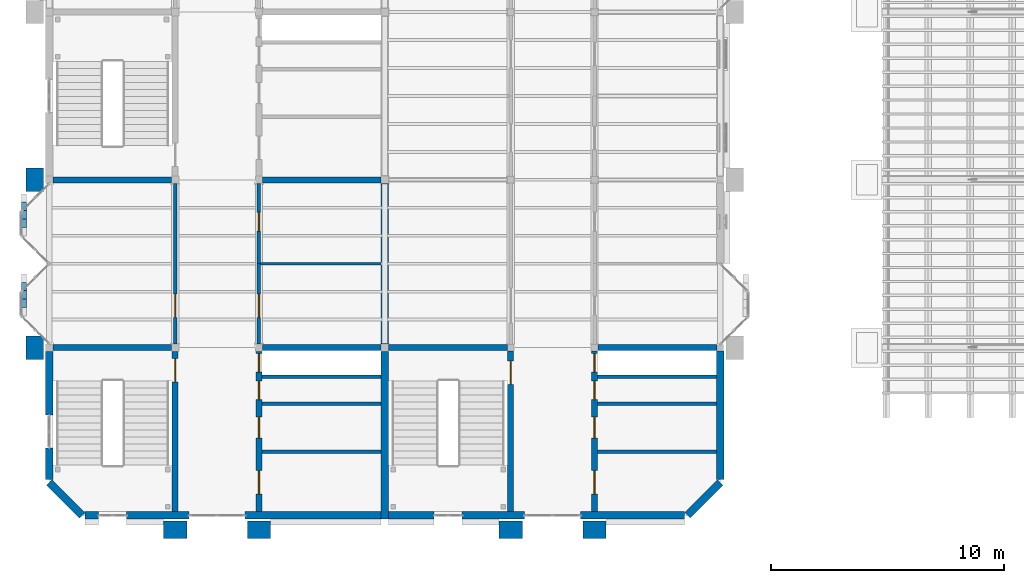
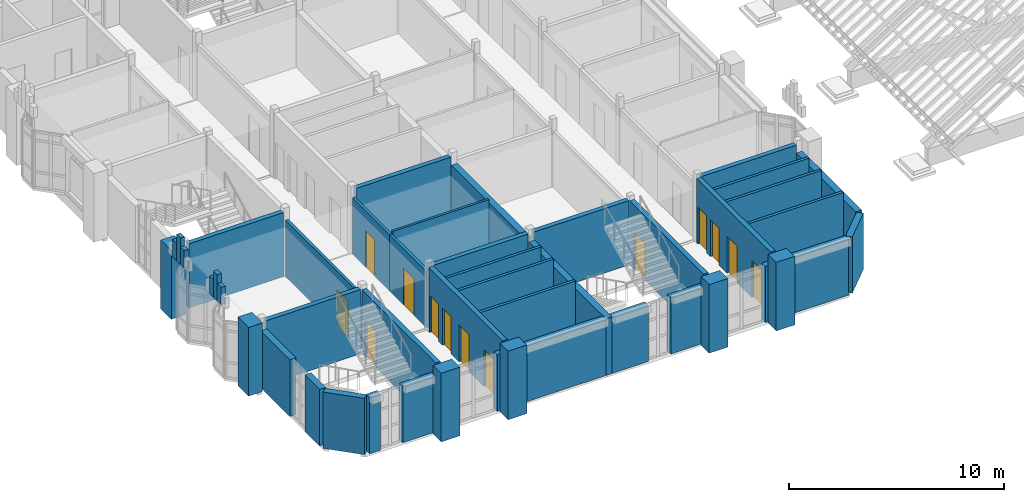
# One storey, part 41 of 71: 45 walls, 13 doors, 13 openings.
"""IFC4 building model written with IfcOpenShell, lengths in metres."""

from ifc_helpers import new_model, si_unit, direction, frame, frame_2d, origin, place, context, subcontext, project, spatial, rectangle, extrude, material, layer, layer_set, type_object, element, fill, save


model = new_model("IFC4")

# Units and contexts
model_context = context("Model", 3, precision=1e-05, world=origin(), true_north=direction((0.0, 1.0)))
body_context = subcontext(model_context, "Body", "Model", "MODEL_VIEW")
ifc_project = project(units=[si_unit("LENGTHUNIT", "METRE"), si_unit("AREAUNIT", "SQUARE_METRE"), si_unit("VOLUMEUNIT", "CUBIC_METRE"), si_unit("PLANEANGLEUNIT", "RADIAN"), si_unit("MASSUNIT", "GRAM", prefix="KILO")], contexts=[model_context])

# Site, building, storey
site_placement = place(None, origin())
site = spatial("IfcSite", under=ifc_project, at=site_placement, CompositionType="ELEMENT")
building_placement = place(site_placement, origin())
building = spatial("IfcBuilding", under=site, at=building_placement, Name="Mazhai Court Health Centre", CompositionType="ELEMENT")
storey_placement = place(building_placement, frame((0.0, 0.0, 10.199951171875)))
storey = spatial("IfcBuildingStorey", under=building, at=storey_placement, Name="L02", CompositionType="ELEMENT", Elevation=10.199951171875)

# Walls
ifc_material_1 = material(Name="Clay brick masonry", Category="masonry")
ifc_layer_1 = layer(ifc_material_1, 0.22998046875)
ifc_layer_set_1 = layer_set([ifc_layer_1], Name="BRICK PARAPET 230")
wall_type_1 = type_object("IfcWallType", Name="BRICK PARAPET 230", PredefinedType="SOLIDWALL", material=ifc_layer_set_1)
wall_1_placement = place(storey_placement, frame((5.114990234375, 15.1201171875, 3.900146484375), z_axis=(0.0, 0.0, 1.0), x_axis=(0.0, 1.0, 0.0)))
element("IfcWall", 1, at=wall_1_placement, inside=storey, type_object=wall_type_1, Name="PR-V2-L02-A10-1", PredefinedType="SOLIDWALL", context=body_context, shape_type="SweptSolid", body=[
    extrude(rectangle(XDim=0.35986328125, YDim=0.22998046875, at=frame_2d((0.179931640625, 0.0))), origin(), (0.0, 0.0, 1.0), 1.0),
])
wall_2_placement = place(storey_placement, frame((5.114990234375, 15.47998046875, 3.900146484375), z_axis=(0.0, 0.0, 1.0), x_axis=(0.0, 1.0, 0.0)))
element("IfcWall", 2, at=wall_2_placement, inside=storey, type_object=wall_type_1, Name="PR-V2-L02-A10-2", PredefinedType="SOLIDWALL", context=body_context, shape_type="SweptSolid", body=[
    extrude(rectangle(XDim=0.360107421875, YDim=0.22998046875, at=frame_2d((0.18017578125, 0.0))), origin(), (0.0, 0.0, 1.0), 1.5),
])
for number, where, z_axis, x_axis, name in (
    (3, (5.114990234375, 15.840087890625, 3.900146484375), (0.0, 0.0, 1.0), (0.0, 1.0, 0.0), "PR-V2-L02-A10-3"),
    (4, (5.114990234375, 18.56005859375, 3.900146484375), (0.0, 0.0, 1.0), (0.0, 1.0, 0.0), "PR-V2-L02-A11-1"),
):
    element("IfcWall", number, at=place(storey_placement, frame(where, z_axis=z_axis, x_axis=x_axis)), inside=storey, type_object=wall_type_1, Name=name, PredefinedType="SOLIDWALL", context=body_context, shape_type="SweptSolid", body=[
        extrude(rectangle(XDim=0.35986328125, YDim=0.22998046875, at=frame_2d((0.179931640625, 0.0))), origin(), (0.0, 0.0, 1.0), 1.0),
    ])
wall_3_placement = place(storey_placement, frame((5.114990234375, 18.919921875, 3.900146484375), z_axis=(0.0, 0.0, 1.0), x_axis=(0.0, 1.0, 0.0)))
element("IfcWall", 5, at=wall_3_placement, inside=storey, type_object=wall_type_1, Name="PR-V2-L02-A11-2", PredefinedType="SOLIDWALL", context=body_context, shape_type="SweptSolid", body=[
    extrude(rectangle(XDim=0.360107421875, YDim=0.22998046875, at=frame_2d((0.18017578125, 0.0))), origin(), (0.0, 0.0, 1.0), 1.5),
])
wall_4_placement = place(storey_placement, frame((5.114990234375, 19.280029296875, 3.900146484375), z_axis=(0.0, 0.0, 1.0), x_axis=(0.0, 1.0, 0.0)))
element("IfcWall", 6, at=wall_4_placement, inside=storey, type_object=wall_type_1, Name="PR-V2-L02-A11-3", PredefinedType="SOLIDWALL", context=body_context, shape_type="SweptSolid", body=[
    extrude(rectangle(XDim=0.35986328125, YDim=0.22998046875, at=frame_2d((0.179931640625, 0.0))), origin(), (0.0, 0.0, 1.0), 1.0),
])
ifc_material_2 = material(Name="Clay brick masonry", Category="masonry")
ifc_layer_2 = layer(ifc_material_2, 0.75)
ifc_layer_set_2 = layer_set([ifc_layer_2], Name="BRICK PIER 750")
wall_type_2 = type_object("IfcWallType", Name="BRICK PIER 750", PredefinedType="SOLIDWALL", material=ifc_layer_set_2)
for number, where, z_axis, x_axis, name in (
    (7, (5.574951171875, 12.89990234375, 0.0), (0.0, 0.0, 1.0), (0.0, 1.0, 0.0), "EP-V2-L02-A1"),
    (8, (5.574951171875, 20.10009765625, 0.0), (0.0, 0.0, 1.0), (0.0, 1.0, 0.0), "EP-V2-L02-A2"),
    (9, (12.10009765625, 5.574951171875, 0.0), (0.0, 0.0, 1.0), (-1.0, 0.0, 0.0), "EP-V2-L02-S54"),
    (10, (15.699951171875, 5.574951171875, 0.0), (0.0, 0.0, 1.0), (-1.0, 0.0, 0.0), "EP-V2-L02-S90"),
    (11, (26.5, 5.574951171875, 0.0), (0.0, 0.0, 1.0), (-1.0, 0.0, 0.0), "EP-V5-L02-S54"),
    (12, (30.10009765625, 5.574951171875, 0.0), (0.0, 0.0, 1.0), (-1.0, 0.0, 0.0), "EP-V5-L02-S90"),
):
    element("IfcWall", number, at=place(storey_placement, frame(where, z_axis=z_axis, x_axis=x_axis)), inside=storey, type_object=wall_type_2, Name=name, PredefinedType="SOLIDWALL", context=body_context, shape_type="SweptSolid", body=[
        extrude(rectangle(XDim=1.0, YDim=0.75, at=frame_2d((0.5, 0.0))), origin(), (0.0, 0.0, 1.0), 3.900146484375),
    ])
ifc_material_3 = material(Name="Clay brick masonry", Category="masonry")
ifc_layer_3 = layer(ifc_material_3, 0.330078125)
ifc_layer_set_3 = layer_set([ifc_layer_3], Name="BRICK WALL 330 EXTERNAL")
wall_type_3 = type_object("IfcWallType", Name="BRICK WALL 330 EXTERNAL", PredefinedType="SOLIDWALL", material=ifc_layer_set_3)
wall_5_placement = place(storey_placement, frame((6.199951171875, 7.73095703125, 0.0), z_axis=(0.0, 0.0, 1.0), x_axis=(0.0, 1.0, 0.0)))
element("IfcWall", 13, at=wall_5_placement, inside=storey, type_object=wall_type_3, Name="EW-V2-L02-A0a", PredefinedType="SOLIDWALL", context=body_context, shape_type="SweptSolid", body=[
    extrude(rectangle(XDim=1.369140625, YDim=0.330078125, at=frame_2d((0.6845703125, 0.0))), origin(), (0.0, 0.0, 1.0), 3.219970703125),
])
wall_6_placement = place(storey_placement, frame((6.199951171875, 10.5, 0.0), z_axis=(0.0, 0.0, 1.0), x_axis=(0.0, 1.0, 0.0)))
element("IfcWall", 14, at=wall_6_placement, inside=storey, type_object=wall_type_3, Name="EW-V2-L02-A0b", PredefinedType="SOLIDWALL", context=body_context, shape_type="SweptSolid", body=[
    extrude(rectangle(XDim=2.739990234375, YDim=0.330078125, at=frame_2d((1.3701171875, 0.0))), origin(), (0.0, 0.0, 1.0), 3.219970703125),
])
wall_7_placement = place(storey_placement, frame((8.320068359375, 6.199951171875, 0.0), z_axis=(0.0, 0.0, 1.0), x_axis=(-1.0, 0.0, 0.0)))
element("IfcWall", 15, at=wall_7_placement, inside=storey, type_object=wall_type_3, Name="EW-V2-L02-Sp0", PredefinedType="SOLIDWALL", context=body_context, shape_type="SweptSolid", body=[
    extrude(rectangle(XDim=0.589111328125, YDim=0.330078125, at=frame_2d((0.29443359375, 0.0))), origin(), (0.0, 0.0, 1.0), 3.199951171875),
])
wall_8_placement = place(storey_placement, frame((12.199951171875, 6.199951171875, 0.0), z_axis=(0.0, 0.0, 1.0), x_axis=(-1.0, 0.0, 0.0)))
element("IfcWall", 16, at=wall_8_placement, inside=storey, type_object=wall_type_3, Name="EW-V2-L02-Sp1", PredefinedType="SOLIDWALL", context=body_context, shape_type="SweptSolid", body=[
    extrude(rectangle(XDim=2.679931640625, YDim=0.330078125, at=frame_2d((1.33984375, 0.0))), origin(), (0.0, 0.0, 1.0), 3.199951171875),
])
wall_9_placement = place(storey_placement, frame((20.43505859375, 6.199951171875, 0.0), z_axis=(0.0, 0.0, 1.0), x_axis=(-1.0, 0.0, 0.0)))
element("IfcWall", 17, at=wall_9_placement, inside=storey, type_object=wall_type_3, Name="EW-V2-L02-Sp2", PredefinedType="SOLIDWALL", context=body_context, shape_type="SweptSolid", body=[
    extrude(rectangle(XDim=5.8349609375, YDim=0.330078125, at=frame_2d((2.91748046875, 0.0))), origin(), (0.0, 0.0, 1.0), 3.199951171875),
])
wall_10_placement = place(storey_placement, frame((6.199951171875, 7.614013671875, 0.0), z_axis=(0.0, 0.0, 1.0), x_axis=(0.707106781187, -0.707106781187, 0.0)))
element("IfcWall", 18, at=wall_10_placement, inside=storey, type_object=wall_type_3, Name="EW-V2-L02-CHA", PredefinedType="SOLIDWALL", context=body_context, shape_type="SweptSolid", body=[
    extrude(rectangle(XDim=1.999755859375, YDim=0.330078125, at=frame_2d((1.0, 0.0))), origin(), (0.0, 0.0, 1.0), 3.199951171875),
])
wall_11_placement = place(storey_placement, frame((35.0, 13.260009765625, 0.0), z_axis=(0.0, 0.0, 1.0), x_axis=(0.0, -1.0, 0.0)))
element("IfcWall", 19, at=wall_11_placement, inside=storey, type_object=wall_type_3, Name="EW-V5-L02-B0", PredefinedType="SOLIDWALL", context=body_context, shape_type="SweptSolid", body=[
    extrude(rectangle(XDim=5.529052734375, YDim=0.330078125, at=frame_2d((2.7646484375, 0.0))), origin(), (0.0, 0.0, 1.0), 3.219970703125),
])
wall_12_placement = place(storey_placement, frame((22.719970703125, 6.199951171875, 0.0), z_axis=(0.0, 0.0, 1.0), x_axis=(-1.0, 0.0, 0.0)))
element("IfcWall", 20, at=wall_12_placement, inside=storey, type_object=wall_type_3, Name="EW-V5-L02-Sp0", PredefinedType="SOLIDWALL", context=body_context, shape_type="SweptSolid", body=[
    extrude(rectangle(XDim=1.955078125, YDim=0.330078125, at=frame_2d((0.9775390625, 0.0))), origin(), (0.0, 0.0, 1.0), 3.199951171875),
])
wall_13_placement = place(storey_placement, frame((26.60009765625, 6.199951171875, 0.0), z_axis=(0.0, 0.0, 1.0), x_axis=(-1.0, 0.0, 0.0)))
element("IfcWall", 21, at=wall_13_placement, inside=storey, type_object=wall_type_3, Name="EW-V5-L02-Sp1", PredefinedType="SOLIDWALL", context=body_context, shape_type="SweptSolid", body=[
    extrude(rectangle(XDim=2.68017578125, YDim=0.330078125, at=frame_2d((1.340087890625, 0.0))), origin(), (0.0, 0.0, 1.0), 3.199951171875),
])
wall_14_placement = place(storey_placement, frame((33.468994140625, 6.199951171875, 0.0), z_axis=(0.0, 0.0, 1.0), x_axis=(-1.0, 0.0, 0.0)))
element("IfcWall", 22, at=wall_14_placement, inside=storey, type_object=wall_type_3, Name="EW-V5-L02-Sp2", PredefinedType="SOLIDWALL", context=body_context, shape_type="SweptSolid", body=[
    extrude(rectangle(XDim=4.468994140625, YDim=0.330078125, at=frame_2d((2.234375, 0.0))), origin(), (0.0, 0.0, 1.0), 3.199951171875),
])
wall_15_placement = place(storey_placement, frame((35.0, 7.614013671875, 0.0), z_axis=(0.0, 0.0, 1.0), x_axis=(-0.707106781187, -0.707106781187, 0.0)))
element("IfcWall", 23, at=wall_15_placement, inside=storey, type_object=wall_type_3, Name="EW-V5-L02-CHB", PredefinedType="SOLIDWALL", context=body_context, shape_type="SweptSolid", body=[
    extrude(rectangle(XDim=1.999755859375, YDim=0.330078125, at=frame_2d((1.0, 0.0))), origin(), (0.0, 0.0, 1.0), 3.199951171875),
])
ifc_material_4 = material(Name="Clay brick masonry", Category="masonry")
ifc_layer_4 = layer(ifc_material_4, 0.330078125)
ifc_layer_set_4 = layer_set([ifc_layer_4], Name="BRICK WALL 330 INTERNAL")
wall_type_4 = type_object("IfcWallType", Name="BRICK WALL 330 INTERNAL", PredefinedType="SOLIDWALL", material=ifc_layer_set_4)
wall_16_placement = place(storey_placement, frame((20.60009765625, 13.239990234375, 0.0), z_axis=(0.0, 0.0, 1.0), x_axis=(0.0, -1.0, 0.0)))
element("IfcWall", 24, at=wall_16_placement, inside=storey, type_object=wall_type_4, Name="EW-V2-L02-B0", PredefinedType="SOLIDWALL", context=body_context, shape_type="SweptSolid", body=[
    extrude(rectangle(XDim=7.205078125, YDim=0.330078125, at=frame_2d((3.6025390625, 0.0))), origin(), (0.0, 0.0, 1.0), 3.219970703125),
])
wall_17_placement = place(storey_placement, frame((20.60009765625, 20.43994140625, 0.0), z_axis=(0.0, 0.0, 1.0), x_axis=(0.0, -1.0, 0.0)))
element("IfcWall", 25, at=wall_17_placement, inside=storey, type_object=wall_type_4, Name="EW-V2-L02-B1", PredefinedType="SOLIDWALL", context=body_context, shape_type="SweptSolid", body=[
    extrude(rectangle(XDim=6.8798828125, YDim=0.330078125, at=frame_2d((3.43994140625, 0.0))), origin(), (0.0, 0.0, 1.0), 3.219970703125),
])
ifc_material_5 = material(Name="Gypsum plasterboard partition")
ifc_layer_5 = layer(ifc_material_5, 0.125)
ifc_layer_set_5 = layer_set([ifc_layer_5], Name="PARTITION 125 STUD EI30")
wall_type_5 = type_object("IfcWallType", Name="PARTITION 125 STUD EI30", PredefinedType="PARTITIONING", material=ifc_layer_set_5)
wall_18_placement = place(storey_placement, frame((20.43505859375, 17.0, 0.0), z_axis=(0.0, 0.0, 1.0), x_axis=(-1.0, 0.0, 0.0)))
element("IfcWall", 26, at=wall_18_placement, inside=storey, type_object=wall_type_5, Name="wall-V2-L02-B0-cross-1a", PredefinedType="PARTITIONING", context=body_context, shape_type="SweptSolid", body=[
    extrude(rectangle(XDim=5.16015625, YDim=0.125, at=frame_2d((2.580078125, 0.0))), origin(), (0.0, 0.0, 1.0), 3.380126953125),
])

# Wall, opening, door
ifc_material_6 = material(Name="Gypsum plasterboard partition")
ifc_layer_6 = layer(ifc_material_6, 0.14990234375)
ifc_layer_set_6 = layer_set([ifc_layer_6], Name="PARTITION 150 CORRIDOR EI60")
wall_type_6 = type_object("IfcWallType", Name="PARTITION 150 CORRIDOR EI60", PredefinedType="PARTITIONING", material=ifc_layer_set_6)
wall_19_placement = place(storey_placement, frame((11.60009765625, 13.56005859375, 0.0), z_axis=(0.0, 0.0, 1.0), x_axis=(0.0, 1.0, 0.0)))
wall_19 = element("IfcWall", 27, at=wall_19_placement, inside=storey, type_object=wall_type_6, Name="wall-V2-L02-A0-corr-0a", PredefinedType="PARTITIONING", context=body_context, shape_type="SweptSolid", body=[
    extrude(rectangle(XDim=6.8798828125, YDim=0.14990234375, at=frame_2d((3.43994140625, 0.0))), origin(), (0.0, 0.0, 1.0), 3.219970703125),
])
opening_1_placement = place(wall_19_placement, frame((1.139892578125, 0.0, 0.0)))
opening_1 = element("IfcOpeningElement", 28, at=opening_1_placement, cuts=wall_19, Name="Opening D-L02-002", PredefinedType="OPENING", context=body_context, shape_type="SweptSolid", body=[
    extrude(rectangle(XDim=1.0, YDim=2.10009765625, at=frame_2d((0.5, 1.050048828125))), frame((0.0, 0.0849609375, 0.0), z_axis=(0.0, -1.0, 0.0), x_axis=(1.0, 0.0, 0.0)), (0.0, 0.0, 1.0), 0.169921875),
])
ifc_material_7 = material(Name="Hardwood door leaf", Category="wood")
door_type_1 = type_object("IfcDoorType", Name="DOOR 1000x2100 FD30S SINGLE", OperationType="NOTDEFINED", PredefinedType="DOOR", material=ifc_material_7)
door_1_placement = place(opening_1_placement, origin())
door_1 = element("IfcDoor", 29, at=door_1_placement, inside=storey, type_object=door_type_1, Name="door-V2-L02-A0-first-phase-recovery", OperationType="SINGLE_SWING_LEFT", OverallHeight=2.10009765625, OverallWidth=1.0, PredefinedType="DOOR", context=body_context, shape_type="SweptSolid", body=[
    extrude(rectangle(XDim=1.0, YDim=2.10009765625, at=frame_2d((0.5, 1.050048828125))), frame((0.0, 0.02490234375, 0.0), z_axis=(0.0, -1.0, 0.0), x_axis=(1.0, 0.0, 0.0)), (0.0, 0.0, 1.0), 0.050048828125),
])
fill(opening_1, door_1)

wall_20_placement = place(storey_placement, frame((15.199951171875, 17.0, 0.0), z_axis=(0.0, 0.0, 1.0), x_axis=(0.0, -1.0, 0.0)))
wall_20 = element("IfcWall", 30, at=wall_20_placement, inside=storey, type_object=wall_type_6, Name="wall-V2-L02-B0-corr-0a", PredefinedType="PARTITIONING", context=body_context, shape_type="SweptSolid", body=[
    extrude(rectangle(XDim=3.43994140625, YDim=0.14990234375, at=frame_2d((1.719970703125, 0.0))), origin(), (0.0, 0.0, 1.0), 3.219970703125),
])
opening_2_placement = place(wall_20_placement, frame((1.300048828125, 0.0, 0.0)))
opening_2 = element("IfcOpeningElement", 31, at=opening_2_placement, cuts=wall_20, Name="Opening D-L02-011", PredefinedType="OPENING", context=body_context, shape_type="SweptSolid", body=[
    extrude(rectangle(XDim=1.0, YDim=2.10009765625, at=frame_2d((0.5, 1.050048828125))), frame((0.0, 0.0849609375, 0.0), z_axis=(0.0, -1.0, 0.0), x_axis=(1.0, 0.0, 0.0)), (0.0, 0.0, 1.0), 0.169921875),
])
door_2_placement = place(opening_2_placement, origin())
door_2 = element("IfcDoor", 32, at=door_2_placement, inside=storey, type_object=door_type_1, Name="door-V2-L02-B0-nurse-base", OperationType="SINGLE_SWING_RIGHT", OverallHeight=2.10009765625, OverallWidth=1.0, PredefinedType="DOOR", context=body_context, shape_type="SweptSolid", body=[
    extrude(rectangle(XDim=1.0, YDim=2.10009765625, at=frame_2d((0.5, 1.050048828125))), frame((0.0, 0.02490234375, 0.0), z_axis=(0.0, -1.0, 0.0), x_axis=(1.0, 0.0, 0.0)), (0.0, 0.0, 1.0), 0.050048828125),
])
fill(opening_2, door_2)

wall_21_placement = place(storey_placement, frame((15.199951171875, 20.43994140625, 0.0), z_axis=(0.0, 0.0, 1.0), x_axis=(0.0, -1.0, 0.0)))
wall_21 = element("IfcWall", 33, at=wall_21_placement, inside=storey, type_object=wall_type_6, Name="wall-V2-L02-B0-corr-1a", PredefinedType="PARTITIONING", context=body_context, shape_type="SweptSolid", body=[
    extrude(rectangle(XDim=3.43994140625, YDim=0.14990234375, at=frame_2d((1.719970703125, 0.0))), origin(), (0.0, 0.0, 1.0), 3.219970703125),
])
opening_3_placement = place(wall_21_placement, frame((1.239990234375, 0.0, 0.0)))
opening_3 = element("IfcOpeningElement", 34, at=opening_3_placement, cuts=wall_21, Name="Opening D-L02-012", PredefinedType="OPENING", context=body_context, shape_type="SweptSolid", body=[
    extrude(rectangle(XDim=0.800048828125, YDim=2.10009765625, at=frame_2d((0.39990234375, 1.050048828125))), frame((0.0, 0.0849609375, 0.0), z_axis=(0.0, -1.0, 0.0), x_axis=(1.0, 0.0, 0.0)), (0.0, 0.0, 1.0), 0.169921875),
])
ifc_material_8 = material(Name="Hardwood door leaf", Category="wood")
door_type_2 = type_object("IfcDoorType", Name="DOOR 800x2100 FD30S SINGLE", OperationType="NOTDEFINED", PredefinedType="DOOR", material=ifc_material_8)
door_3_placement = place(opening_3_placement, origin())
door_3 = element("IfcDoor", 35, at=door_3_placement, inside=storey, type_object=door_type_2, Name="door-V2-L02-B0-dirty-utility", OperationType="SINGLE_SWING_LEFT", OverallHeight=2.10009765625, OverallWidth=0.800048828125, PredefinedType="DOOR", context=body_context, shape_type="SweptSolid", body=[
    extrude(rectangle(XDim=0.800048828125, YDim=2.10009765625, at=frame_2d((0.39990234375, 1.050048828125))), frame((0.0, 0.02490234375, 0.0), z_axis=(0.0, -1.0, 0.0), x_axis=(1.0, 0.0, 0.0)), (0.0, 0.0, 1.0), 0.050048828125),
])
fill(opening_3, door_3)

ifc_material_9 = material(Name="Concrete M40", Category="concrete")
ifc_layer_7 = layer(ifc_material_9, 0.25)
ifc_layer_set_7 = layer_set([ifc_layer_7], Name="RC CORE WALL 250 M40")
wall_type_7 = type_object("IfcWallType", Name="RC CORE WALL 250 M40", PredefinedType="SHEAR", material=ifc_layer_set_7)
wall_22_placement = place(storey_placement, frame((11.60009765625, 6.364990234375, 0.0), z_axis=(0.0, 0.0, 1.0), x_axis=(0.0, 1.0, 0.0)))
wall_22 = element("IfcWall", 36, at=wall_22_placement, inside=storey, type_object=wall_type_7, Name="core-C1-w-stair-corr-L02", PredefinedType="SHEAR", context=body_context, shape_type="SweptSolid", body=[
    extrude(rectangle(XDim=6.875, YDim=0.25, at=frame_2d((3.4375, 0.0))), origin(), (0.0, 0.0, 1.0), 3.650146484375),
])
opening_4_placement = place(wall_22_placement, frame((5.56005859375, 0.0, 0.0)))
opening_4 = element("IfcOpeningElement", 37, at=opening_4_placement, cuts=wall_22, Name="Opening D-L02-001", PredefinedType="OPENING", context=body_context, shape_type="SweptSolid", body=[
    extrude(rectangle(XDim=1.0, YDim=2.10009765625, at=frame_2d((0.5, 1.050048828125))), frame((0.0, 0.135009765625, 0.0), z_axis=(0.0, -1.0, 0.0), x_axis=(1.0, 0.0, 0.0)), (0.0, 0.0, 1.0), 0.27001953125),
])
ifc_material_10 = material(Name="Steel fire door leaf", Category="steel")
door_type_3 = type_object("IfcDoorType", Name="FD120S STAIR DOOR 1000x2100", OperationType="SINGLE_SWING_LEFT", PredefinedType="DOOR", material=ifc_material_10)
door_4_placement = place(opening_4_placement, origin())
door_4 = element("IfcDoor", 38, at=door_4_placement, inside=storey, type_object=door_type_3, Name="Stair 1 door L02", OperationType="SINGLE_SWING_LEFT", OverallHeight=2.10009765625, OverallWidth=1.0, PredefinedType="DOOR", context=body_context, shape_type="SweptSolid", body=[
    extrude(rectangle(XDim=1.0, YDim=2.10009765625, at=frame_2d((0.5, 1.050048828125))), frame((0.0, 0.02490234375, 0.0), z_axis=(0.0, -1.0, 0.0), x_axis=(1.0, 0.0, 0.0)), (0.0, 0.0, 1.0), 0.050048828125),
])
fill(opening_4, door_4)

# Wall
wall_23_placement = place(storey_placement, frame((6.360107421875, 13.39990234375, 0.0), z_axis=(0.0, 0.0, 1.0), x_axis=(1.0, 0.0, 0.0)))
element("IfcWall", 39, at=wall_23_placement, inside=storey, type_object=wall_type_7, Name="core-C1-w-stair-line0-L02", PredefinedType="SHEAR", context=body_context, shape_type="SweptSolid", body=[
    extrude(rectangle(XDim=5.079833984375, YDim=0.25, at=frame_2d((2.5400390625, 0.0))), origin(), (0.0, 0.0, 1.0), 3.650146484375),
])

# Wall, openings, doors
wall_24_placement = place(storey_placement, frame((15.199951171875, 6.364990234375, 0.0), z_axis=(0.0, 0.0, 1.0), x_axis=(0.0, 1.0, 0.0)))
wall_24 = element("IfcWall", 40, at=wall_24_placement, inside=storey, type_object=wall_type_7, Name="core-C1-w-other-corr-L02", PredefinedType="SHEAR", context=body_context, shape_type="SweptSolid", body=[
    extrude(rectangle(XDim=6.875, YDim=0.25, at=frame_2d((3.4375, 0.0))), origin(), (0.0, 0.0, 1.0), 3.650146484375),
])
opening_5_placement = place(wall_24_placement, frame((0.75, 0.0, 0.0)))
opening_5 = element("IfcOpeningElement", 41, at=opening_5_placement, cuts=wall_24, Name="Opening D-L02-007", PredefinedType="OPENING", context=body_context, shape_type="SweptSolid", body=[
    extrude(rectangle(XDim=1.0, YDim=2.10009765625, at=frame_2d((0.5, 1.050048828125))), frame((0.0, 0.135009765625, 0.0), z_axis=(0.0, -1.0, 0.0), x_axis=(1.0, 0.0, 0.0)), (0.0, 0.0, 1.0), 0.27001953125),
])
opening_6_placement = place(wall_24_placement, frame((3.14990234375, 0.0, 0.0)))
opening_6 = element("IfcOpeningElement", 42, at=opening_6_placement, cuts=wall_24, Name="Opening D-L02-008", PredefinedType="OPENING", context=body_context, shape_type="SweptSolid", body=[
    extrude(rectangle(XDim=0.89990234375, YDim=2.10009765625, at=frame_2d((0.449951171875, 1.050048828125))), frame((0.0, 0.135009765625, 0.0), z_axis=(0.0, -1.0, 0.0), x_axis=(1.0, 0.0, 0.0)), (0.0, 0.0, 1.0), 0.27001953125),
])
opening_7_placement = place(wall_24_placement, frame((4.800048828125, 0.0, 0.0)))
opening_7 = element("IfcOpeningElement", 43, at=opening_7_placement, cuts=wall_24, Name="Opening D-L02-009", PredefinedType="OPENING", context=body_context, shape_type="SweptSolid", body=[
    extrude(rectangle(XDim=0.800048828125, YDim=2.10009765625, at=frame_2d((0.39990234375, 1.050048828125))), frame((0.0, 0.135009765625, 0.0), z_axis=(0.0, -1.0, 0.0), x_axis=(1.0, 0.0, 0.0)), (0.0, 0.0, 1.0), 0.27001953125),
])
opening_8_placement = place(wall_24_placement, frame((5.97998046875, 0.0, 0.0)))
opening_8 = element("IfcOpeningElement", 44, at=opening_8_placement, cuts=wall_24, Name="Opening D-L02-010", PredefinedType="OPENING", context=body_context, shape_type="SweptSolid", body=[
    extrude(rectangle(XDim=0.800048828125, YDim=2.10009765625, at=frame_2d((0.39990234375, 1.050048828125))), frame((0.0, 0.135009765625, 0.0), z_axis=(0.0, -1.0, 0.0), x_axis=(1.0, 0.0, 0.0)), (0.0, 0.0, 1.0), 0.27001953125),
])
ifc_material_11 = material(Name="Timber door leaf", Category="wood")
door_type_4 = type_object("IfcDoorType", Name="ACCESSIBLE WC DOOR 1000x2100", OperationType="SINGLE_SWING_RIGHT", PredefinedType="DOOR", material=ifc_material_11)
door_5_placement = place(opening_5_placement, origin())
door_5 = element("IfcDoor", 45, at=door_5_placement, inside=storey, type_object=door_type_4, Name="Accessible WC door L02", OperationType="SINGLE_SWING_LEFT", OverallHeight=2.10009765625, OverallWidth=1.0, PredefinedType="DOOR", context=body_context, shape_type="SweptSolid", body=[
    extrude(rectangle(XDim=1.0, YDim=2.10009765625, at=frame_2d((0.5, 1.050048828125))), frame((0.0, 0.02490234375, 0.0), z_axis=(0.0, -1.0, 0.0), x_axis=(1.0, 0.0, 0.0)), (0.0, 0.0, 1.0), 0.050048828125),
])
fill(opening_5, door_5)
ifc_material_12 = material(Name="Timber door leaf", Category="wood")
door_type_5 = type_object("IfcDoorType", Name="CLEANER STORE DOOR 800x2100", OperationType="SINGLE_SWING_LEFT", PredefinedType="DOOR", material=ifc_material_12)
door_6_placement = place(opening_7_placement, origin())
door_6 = element("IfcDoor", 46, at=door_6_placement, inside=storey, type_object=door_type_5, Name="Cleaner door L02", OperationType="SINGLE_SWING_LEFT", OverallHeight=2.10009765625, OverallWidth=0.800048828125, PredefinedType="DOOR", context=body_context, shape_type="SweptSolid", body=[
    extrude(rectangle(XDim=0.800048828125, YDim=2.10009765625, at=frame_2d((0.39990234375, 1.050048828125))), frame((0.0, 0.02490234375, 0.0), z_axis=(0.0, -1.0, 0.0), x_axis=(1.0, 0.0, 0.0)), (0.0, 0.0, 1.0), 0.050048828125),
])
fill(opening_7, door_6)
ifc_material_13 = material(Name="Steel fire door leaf", Category="steel")
door_type_6 = type_object("IfcDoorType", Name="FD60S RISER DOOR 800x2100", OperationType="SINGLE_SWING_LEFT", PredefinedType="DOOR", material=ifc_material_13)
door_7_placement = place(opening_8_placement, origin())
door_7 = element("IfcDoor", 47, at=door_7_placement, inside=storey, type_object=door_type_6, Name="Riser door L02", OperationType="SINGLE_SWING_LEFT", OverallHeight=2.10009765625, OverallWidth=0.800048828125, PredefinedType="DOOR", context=body_context, shape_type="SweptSolid", body=[
    extrude(rectangle(XDim=0.800048828125, YDim=2.10009765625, at=frame_2d((0.39990234375, 1.050048828125))), frame((0.0, 0.02490234375, 0.0), z_axis=(0.0, -1.0, 0.0), x_axis=(1.0, 0.0, 0.0)), (0.0, 0.0, 1.0), 0.050048828125),
])
fill(opening_8, door_7)
ifc_material_14 = material(Name="Timber door leaf", Category="wood")
door_type_7 = type_object("IfcDoorType", Name="WC DOOR 900x2100", OperationType="SINGLE_SWING_LEFT", PredefinedType="DOOR", material=ifc_material_14)
door_8_placement = place(opening_6_placement, origin())
door_8 = element("IfcDoor", 48, at=door_8_placement, inside=storey, type_object=door_type_7, Name="WC door L02", OperationType="SINGLE_SWING_LEFT", OverallHeight=2.10009765625, OverallWidth=0.89990234375, PredefinedType="DOOR", context=body_context, shape_type="SweptSolid", body=[
    extrude(rectangle(XDim=0.89990234375, YDim=2.10009765625, at=frame_2d((0.449951171875, 1.050048828125))), frame((0.0, 0.02490234375, 0.0), z_axis=(0.0, -1.0, 0.0), x_axis=(1.0, 0.0, 0.0)), (0.0, 0.0, 1.0), 0.050048828125),
])
fill(opening_6, door_8)

# Walls
for number, where, z_axis, x_axis, name in (
    (49, (15.360107421875, 13.39990234375, 0.0), (0.0, 0.0, 1.0), (1.0, 0.0, 0.0), "core-C1-w-other-line0-L02"),
    (50, (6.360107421875, 20.60009765625, 0.0), (0.0, 0.0, 1.0), (1.0, 0.0, 0.0), "core-C2-w-stair-line0-L02"),
    (51, (15.360107421875, 20.60009765625, 0.0), (0.0, 0.0, 1.0), (1.0, 0.0, 0.0), "core-C2-w-other-line0-L02"),
):
    element("IfcWall", number, at=place(storey_placement, frame(where, z_axis=z_axis, x_axis=x_axis)), inside=storey, type_object=wall_type_7, Name=name, PredefinedType="SHEAR", context=body_context, shape_type="SweptSolid", body=[
        extrude(rectangle(XDim=5.079833984375, YDim=0.25, at=frame_2d((2.5400390625, 0.0))), origin(), (0.0, 0.0, 1.0), 3.650146484375),
    ])

# Wall, opening, door
wall_25_placement = place(storey_placement, frame((26.0, 6.364990234375, 0.0), z_axis=(0.0, 0.0, 1.0), x_axis=(0.0, 1.0, 0.0)))
wall_25 = element("IfcWall", 52, at=wall_25_placement, inside=storey, type_object=wall_type_7, Name="core-C4-w-stair-corr-L02", PredefinedType="SHEAR", context=body_context, shape_type="SweptSolid", body=[
    extrude(rectangle(XDim=6.89501953125, YDim=0.25, at=frame_2d((3.447509765625, 0.0))), origin(), (0.0, 0.0, 1.0), 3.650146484375),
])
opening_9_placement = place(wall_25_placement, frame((5.4599609375, 0.0, 0.0)))
opening_9 = element("IfcOpeningElement", 53, at=opening_9_placement, cuts=wall_25, Name="Opening D-L02-019", PredefinedType="OPENING", context=body_context, shape_type="SweptSolid", body=[
    extrude(rectangle(XDim=1.0, YDim=2.10009765625, at=frame_2d((0.5, 1.050048828125))), frame((0.0, 0.135009765625, 0.0), z_axis=(0.0, -1.0, 0.0), x_axis=(1.0, 0.0, 0.0)), (0.0, 0.0, 1.0), 0.27001953125),
])
door_9_placement = place(opening_9_placement, origin())
door_9 = element("IfcDoor", 54, at=door_9_placement, inside=storey, type_object=door_type_3, Name="Stair 4 door L02", OperationType="SINGLE_SWING_RIGHT", OverallHeight=2.10009765625, OverallWidth=1.0, PredefinedType="DOOR", context=body_context, shape_type="SweptSolid", body=[
    extrude(rectangle(XDim=1.0, YDim=2.10009765625, at=frame_2d((0.5, 1.050048828125))), frame((0.0, 0.02490234375, 0.0), z_axis=(0.0, -1.0, 0.0), x_axis=(1.0, 0.0, 0.0)), (0.0, 0.0, 1.0), 0.050048828125),
])
fill(opening_9, door_9)

# Wall
wall_26_placement = place(storey_placement, frame((20.760009765625, 13.39990234375, 0.0), z_axis=(0.0, 0.0, 1.0), x_axis=(1.0, 0.0, 0.0)))
element("IfcWall", 55, at=wall_26_placement, inside=storey, type_object=wall_type_7, Name="core-C4-w-stair-line0-L02", PredefinedType="SHEAR", context=body_context, shape_type="SweptSolid", body=[
    extrude(rectangle(XDim=5.10009765625, YDim=0.25, at=frame_2d((2.550048828125, 0.0))), origin(), (0.0, 0.0, 1.0), 3.650146484375),
])

# Wall, openings, doors
wall_27_placement = place(storey_placement, frame((29.60009765625, 6.364990234375, 0.0), z_axis=(0.0, 0.0, 1.0), x_axis=(0.0, 1.0, 0.0)))
wall_27 = element("IfcWall", 56, at=wall_27_placement, inside=storey, type_object=wall_type_7, Name="core-C4-w-other-corr-L02", PredefinedType="SHEAR", context=body_context, shape_type="SweptSolid", body=[
    extrude(rectangle(XDim=6.89501953125, YDim=0.25, at=frame_2d((3.447509765625, 0.0))), origin(), (0.0, 0.0, 1.0), 3.650146484375),
])
opening_10_placement = place(wall_27_placement, frame((0.75, 0.0, 0.0)))
opening_10 = element("IfcOpeningElement", 57, at=opening_10_placement, cuts=wall_27, Name="Opening D-L02-025", PredefinedType="OPENING", context=body_context, shape_type="SweptSolid", body=[
    extrude(rectangle(XDim=1.0, YDim=2.10009765625, at=frame_2d((0.5, 1.050048828125))), frame((0.0, 0.135009765625, 0.0), z_axis=(0.0, -1.0, 0.0), x_axis=(1.0, 0.0, 0.0)), (0.0, 0.0, 1.0), 0.27001953125),
])
opening_11_placement = place(wall_27_placement, frame((3.14990234375, 0.0, 0.0)))
opening_11 = element("IfcOpeningElement", 58, at=opening_11_placement, cuts=wall_27, Name="Opening D-L02-026", PredefinedType="OPENING", context=body_context, shape_type="SweptSolid", body=[
    extrude(rectangle(XDim=0.89990234375, YDim=2.10009765625, at=frame_2d((0.449951171875, 1.050048828125))), frame((0.0, 0.135009765625, 0.0), z_axis=(0.0, -1.0, 0.0), x_axis=(1.0, 0.0, 0.0)), (0.0, 0.0, 1.0), 0.27001953125),
])
opening_12_placement = place(wall_27_placement, frame((4.800048828125, 0.0, 0.0)))
opening_12 = element("IfcOpeningElement", 59, at=opening_12_placement, cuts=wall_27, Name="Opening D-L02-027", PredefinedType="OPENING", context=body_context, shape_type="SweptSolid", body=[
    extrude(rectangle(XDim=0.800048828125, YDim=2.10009765625, at=frame_2d((0.39990234375, 1.050048828125))), frame((0.0, 0.135009765625, 0.0), z_axis=(0.0, -1.0, 0.0), x_axis=(1.0, 0.0, 0.0)), (0.0, 0.0, 1.0), 0.27001953125),
])
opening_13_placement = place(wall_27_placement, frame((5.97998046875, 0.0, 0.0)))
opening_13 = element("IfcOpeningElement", 60, at=opening_13_placement, cuts=wall_27, Name="Opening D-L02-028", PredefinedType="OPENING", context=body_context, shape_type="SweptSolid", body=[
    extrude(rectangle(XDim=0.800048828125, YDim=2.10009765625, at=frame_2d((0.39990234375, 1.050048828125))), frame((0.0, 0.135009765625, 0.0), z_axis=(0.0, -1.0, 0.0), x_axis=(1.0, 0.0, 0.0)), (0.0, 0.0, 1.0), 0.27001953125),
])
door_10_placement = place(opening_10_placement, origin())
door_10 = element("IfcDoor", 61, at=door_10_placement, inside=storey, type_object=door_type_4, Name="Accessible WC door L02", OperationType="SINGLE_SWING_LEFT", OverallHeight=2.10009765625, OverallWidth=1.0, PredefinedType="DOOR", context=body_context, shape_type="SweptSolid", body=[
    extrude(rectangle(XDim=1.0, YDim=2.10009765625, at=frame_2d((0.5, 1.050048828125))), frame((0.0, 0.02490234375, 0.0), z_axis=(0.0, -1.0, 0.0), x_axis=(1.0, 0.0, 0.0)), (0.0, 0.0, 1.0), 0.050048828125),
])
fill(opening_10, door_10)
door_11_placement = place(opening_12_placement, origin())
door_11 = element("IfcDoor", 62, at=door_11_placement, inside=storey, type_object=door_type_5, Name="Cleaner door L02", OperationType="SINGLE_SWING_LEFT", OverallHeight=2.10009765625, OverallWidth=0.800048828125, PredefinedType="DOOR", context=body_context, shape_type="SweptSolid", body=[
    extrude(rectangle(XDim=0.800048828125, YDim=2.10009765625, at=frame_2d((0.39990234375, 1.050048828125))), frame((0.0, 0.02490234375, 0.0), z_axis=(0.0, -1.0, 0.0), x_axis=(1.0, 0.0, 0.0)), (0.0, 0.0, 1.0), 0.050048828125),
])
fill(opening_12, door_11)
door_12_placement = place(opening_13_placement, origin())
door_12 = element("IfcDoor", 63, at=door_12_placement, inside=storey, type_object=door_type_6, Name="Riser door L02", OperationType="SINGLE_SWING_LEFT", OverallHeight=2.10009765625, OverallWidth=0.800048828125, PredefinedType="DOOR", context=body_context, shape_type="SweptSolid", body=[
    extrude(rectangle(XDim=0.800048828125, YDim=2.10009765625, at=frame_2d((0.39990234375, 1.050048828125))), frame((0.0, 0.02490234375, 0.0), z_axis=(0.0, -1.0, 0.0), x_axis=(1.0, 0.0, 0.0)), (0.0, 0.0, 1.0), 0.050048828125),
])
fill(opening_13, door_12)
door_13_placement = place(opening_11_placement, origin())
door_13 = element("IfcDoor", 64, at=door_13_placement, inside=storey, type_object=door_type_7, Name="WC door L02", OperationType="SINGLE_SWING_LEFT", OverallHeight=2.10009765625, OverallWidth=0.89990234375, PredefinedType="DOOR", context=body_context, shape_type="SweptSolid", body=[
    extrude(rectangle(XDim=0.89990234375, YDim=2.10009765625, at=frame_2d((0.449951171875, 1.050048828125))), frame((0.0, 0.02490234375, 0.0), z_axis=(0.0, -1.0, 0.0), x_axis=(1.0, 0.0, 0.0)), (0.0, 0.0, 1.0), 0.050048828125),
])
fill(opening_11, door_13)

# Walls
wall_28_placement = place(storey_placement, frame((29.739990234375, 13.39990234375, 0.0), z_axis=(0.0, 0.0, 1.0), x_axis=(1.0, 0.0, 0.0)))
element("IfcWall", 65, at=wall_28_placement, inside=storey, type_object=wall_type_7, Name="core-C4-w-other-line0-L02", PredefinedType="SHEAR", context=body_context, shape_type="SweptSolid", body=[
    extrude(rectangle(XDim=5.1201171875, YDim=0.25, at=frame_2d((2.56005859375, 0.0))), origin(), (0.0, 0.0, 1.0), 3.650146484375),
])
ifc_material_15 = material(Name="Concrete M25", Category="concrete")
ifc_layer_8 = layer(ifc_material_15, 0.14990234375)
ifc_layer_set_8 = layer_set([ifc_layer_8], Name="RC SERVICE ROOM WALL 150 M25")
wall_type_8 = type_object("IfcWallType", Name="RC SERVICE ROOM WALL 150 M25", PredefinedType="PARTITIONING", material=ifc_layer_set_8)
for number, where, z_axis, x_axis, name in (
    (66, (15.324951171875, 8.93994140625, 0.0), (0.0, 0.0, 1.0), (1.0, 0.0, 0.0), "core-C1-w-room0-L02"),
    (67, (15.324951171875, 10.989990234375, 0.0), (0.0, 0.0, 1.0), (1.0, 0.0, 0.0), "core-C1-w-room1-L02"),
    (68, (15.324951171875, 12.139892578125, 0.0), (0.0, 0.0, 1.0), (1.0, 0.0, 0.0), "core-C1-w-room2-L02"),
):
    element("IfcWall", number, at=place(storey_placement, frame(where, z_axis=z_axis, x_axis=x_axis)), inside=storey, type_object=wall_type_8, Name=name, PredefinedType="PARTITIONING", context=body_context, shape_type="SweptSolid", body=[
        extrude(rectangle(XDim=5.110107421875, YDim=0.14990234375, at=frame_2d((2.55517578125, 0.0))), origin(), (0.0, 0.0, 1.0), 3.650146484375),
    ])
for number, where, z_axis, x_axis, name in (
    (69, (29.72509765625, 8.93994140625, 0.0), (0.0, 0.0, 1.0), (1.0, 0.0, 0.0), "core-C4-w-room0-L02"),
    (70, (29.72509765625, 10.989990234375, 0.0), (0.0, 0.0, 1.0), (1.0, 0.0, 0.0), "core-C4-w-room1-L02"),
    (71, (29.72509765625, 12.139892578125, 0.0), (0.0, 0.0, 1.0), (1.0, 0.0, 0.0), "core-C4-w-room2-L02"),
):
    element("IfcWall", number, at=place(storey_placement, frame(where, z_axis=z_axis, x_axis=x_axis)), inside=storey, type_object=wall_type_8, Name=name, PredefinedType="PARTITIONING", context=body_context, shape_type="SweptSolid", body=[
        extrude(rectangle(XDim=5.10986328125, YDim=0.14990234375, at=frame_2d((2.554931640625, 0.0))), origin(), (0.0, 0.0, 1.0), 3.650146484375),
    ])

save(model, "model.ifc")
